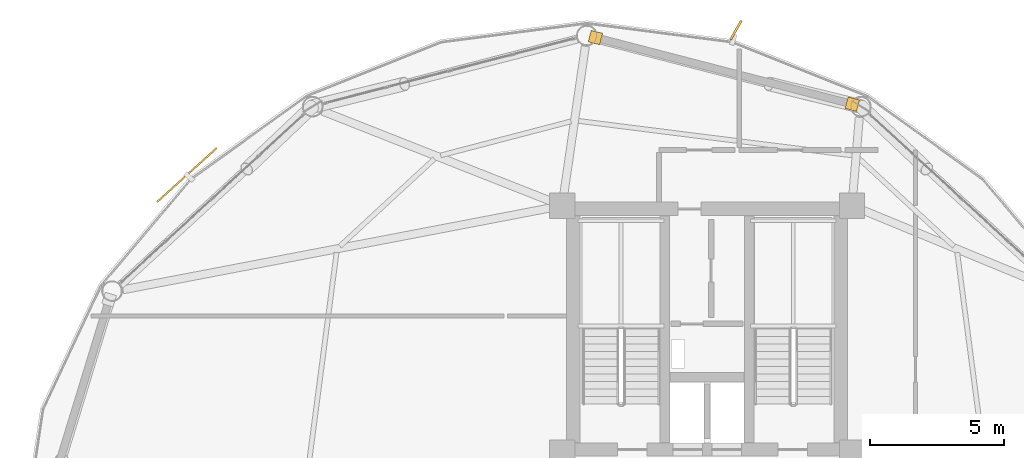
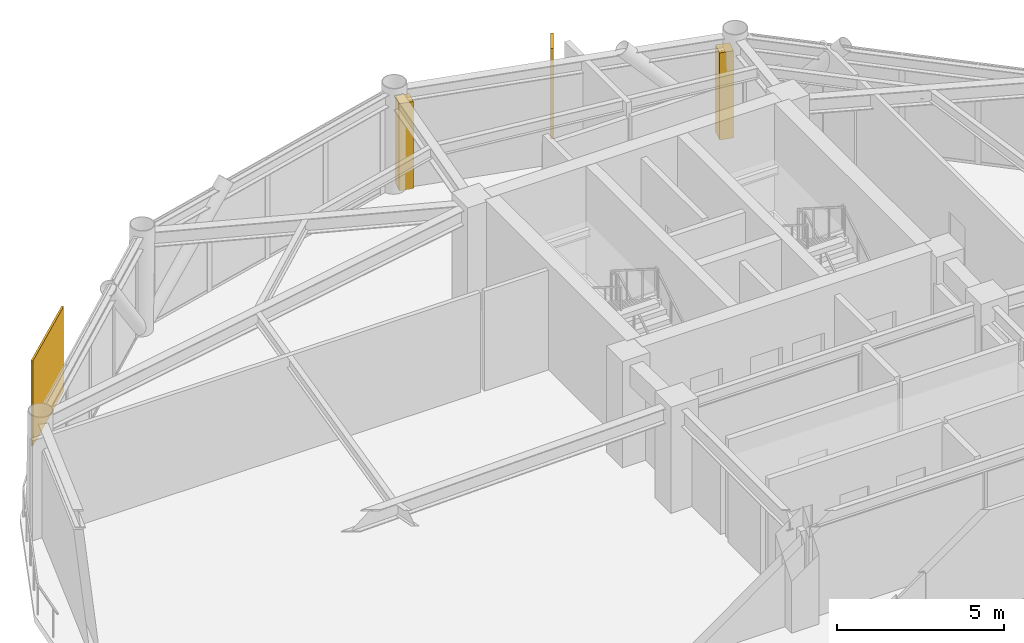
# One storey, part 25 of 25: 2 coverings, 2 shading devices.
"""IFC4 building model written with IfcOpenShell, lengths in metres."""

from ifc_helpers import new_model, si_unit, direction, frame, origin, origin_2d, place, context, subcontext, project, spatial, rectangle, extrude, source, transform, mapped, material, layer, layer_set, type_object, type_shapes, element, save


model = new_model("IFC4")

# Units and contexts
model_context = context("Model", 3, precision=1e-05, world=origin(), true_north=direction((0.0, 1.0)))
body_context = subcontext(model_context, "Body", "Model", "MODEL_VIEW")
ifc_project = project(units=[si_unit("LENGTHUNIT", "METRE"), si_unit("AREAUNIT", "SQUARE_METRE"), si_unit("VOLUMEUNIT", "CUBIC_METRE"), si_unit("PLANEANGLEUNIT", "RADIAN"), si_unit("MASSUNIT", "GRAM", prefix="KILO")], contexts=[model_context])

# Site, building, storey
site_placement = place(None, origin())
site = spatial("IfcSite", under=ifc_project, at=site_placement, CompositionType="ELEMENT")
building_placement = place(site_placement, origin())
building = spatial("IfcBuilding", under=site, at=building_placement, Name="Varnakorn Sky Granary", CompositionType="ELEMENT")
storey_placement = place(building_placement, frame((0.0, 0.0, 157.800048828125)))
storey = spatial("IfcBuildingStorey", under=building, at=storey_placement, Name="L39", CompositionType="ELEMENT", Elevation=157.800048828125)

# Shading devices
ifc_material = material(Name="Anodised Bronze Aluminium Alloy 6063-T6", Category="aluminium")
shading_device_type_1 = type_object("IfcShadingDeviceType", Name="SH-SCR-02", PredefinedType="USERDEFINED", material=ifc_material)
shared_shape_1 = source(origin(), body_context, "Body", "SweptSolid", [
    extrude(rectangle(XDim=3.0, YDim=0.06494140625, at=origin_2d()), origin(), (0.0, 0.0, 1.0), 3.10009765625),
])
type_shapes(shading_device_type_1, [shared_shape_1])
shading_device_1_placement = place(storey_placement, frame((-16.455078125, 13.76953125, -0.0400390625), z_axis=(0.0, 0.0, 1.0), x_axis=(-0.741817540795, -0.670601771671, 0.0)))
element("IfcShadingDevice", 1, at=shading_device_1_placement, inside=storey, type_object=shading_device_type_1, Name="Perforated Bronze Solar Screen Panel SCREEN L39-05", ObjectType="SCREEN", PredefinedType="USERDEFINED", context=body_context, shape_type="MappedRepresentation", body=[
    mapped(shared_shape_1, transform((0.0, 0.0, 0.0), x_axis=(1.0, 0.0, 0.0), y_axis=(0.0, 1.0, 0.0), z_axis=(0.0, 0.0, 1.0), scale=1.0)),
])
shading_device_type_2 = type_object("IfcShadingDeviceType", Name="SH-FIN-02", PredefinedType="USERDEFINED", material=ifc_material)
shared_shape_2 = source(origin(), body_context, "Body", "SweptSolid", [
    extrude(rectangle(XDim=0.0849609375, YDim=0.820068359375, at=origin_2d()), origin(), (0.0, 0.0, 1.0), 3.300048828125),
])
type_shapes(shading_device_type_2, [shared_shape_2])
shading_device_2_placement = place(storey_placement, frame((4.081298828125, 19.188232421875, -0.0400390625), z_axis=(0.0, 0.0, 1.0), x_axis=(-0.868443669929, 0.495787849953, 0.0)))
element("IfcShadingDevice", 2, at=shading_device_2_placement, inside=storey, type_object=shading_device_type_2, Name="Bronze Solar-Tracking Vertical Blade FIN L39-03", ObjectType="FIN", PredefinedType="USERDEFINED", context=body_context, shape_type="MappedRepresentation", body=[
    mapped(shared_shape_2, transform((0.0, 0.0, 0.0), x_axis=(1.0, 0.0, 0.0), y_axis=(0.0, 1.0, 0.0), z_axis=(0.0, 0.0, 1.0), scale=1.0)),
])

# Coverings
ifc_layer = layer(ifc_material, 0.050048828125, Name="Anodised Bronze Aluminium Alloy 6063-T6")
ifc_layer_set = layer_set([ifc_layer], Name="Anodised Bronze Aluminium Alloy 6063-T6")
covering_type = type_object("IfcCoveringType", Name="CV-CLAD-50", PredefinedType="CLADDING", material=ifc_layer_set)
shared_shape_3 = source(origin(), body_context, "Body", "SweptSolid", [
    extrude(rectangle(XDim=0.43994140625, YDim=0.43994140625, at=origin_2d()), origin(), (0.0, 0.0, 1.0), 3.179931640625),
])
type_shapes(covering_type, [shared_shape_3])
for number, where, z_axis, x_axis, name in (
    (3, (-1.1748046875, 18.90869140625, -0.02001953125), (0.0, 0.0, 1.0), (0.96792877399, -0.251224776808, 0.0), "Bronze Corner Pilaster Closure L39-P03-A"),
    (4, (8.432373046875, 16.416015625, -0.02001953125), (0.0, 0.0, 1.0), (0.96792877399, -0.251224776808, 0.0), "Bronze Corner Pilaster Closure L39-P03-B"),
):
    element("IfcCovering", number, at=place(storey_placement, frame(where, z_axis=z_axis, x_axis=x_axis)), inside=storey, type_object=covering_type, Name=name, PredefinedType="CLADDING", context=body_context, shape_type="MappedRepresentation", body=[
        mapped(shared_shape_3, transform((0.0, 0.0, 0.0), x_axis=(1.0, 0.0, 0.0), y_axis=(0.0, 1.0, 0.0), z_axis=(0.0, 0.0, 1.0), scale=1.0)),
    ])

save(model, "model.ifc")
